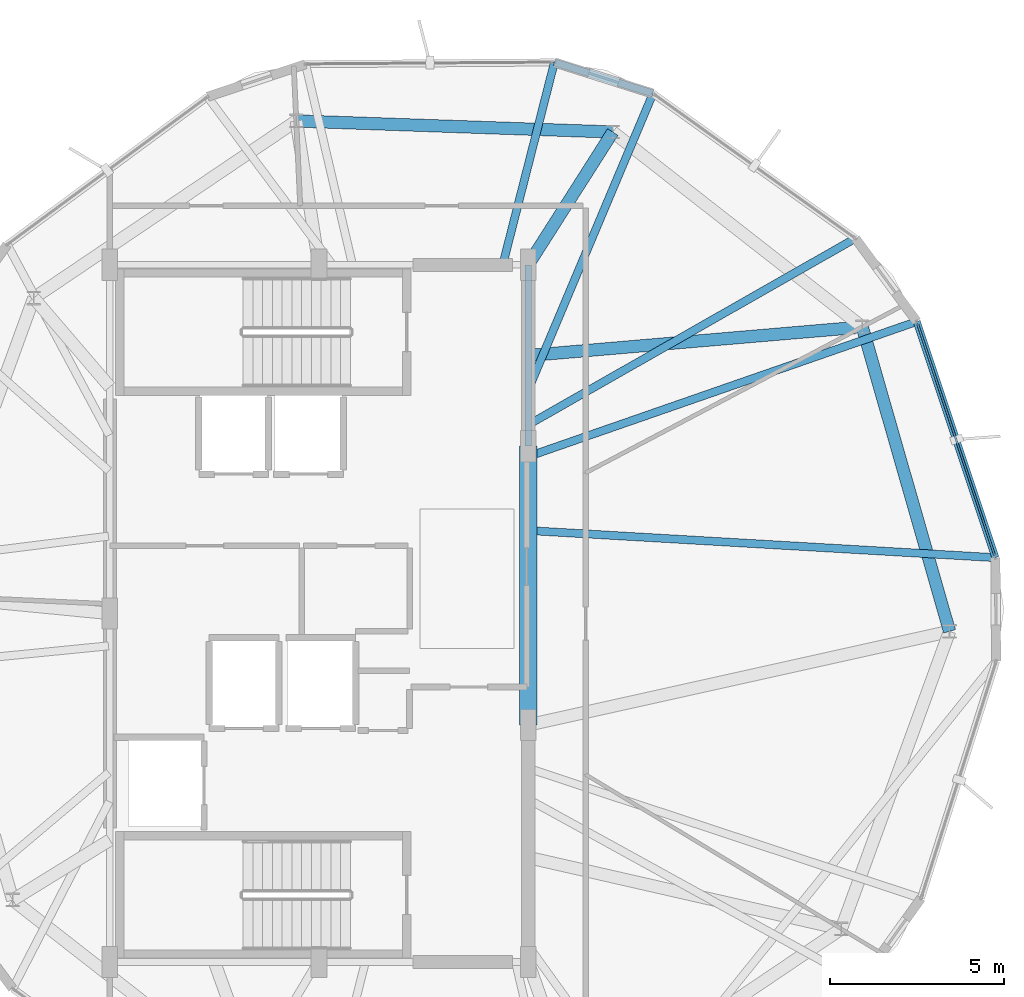
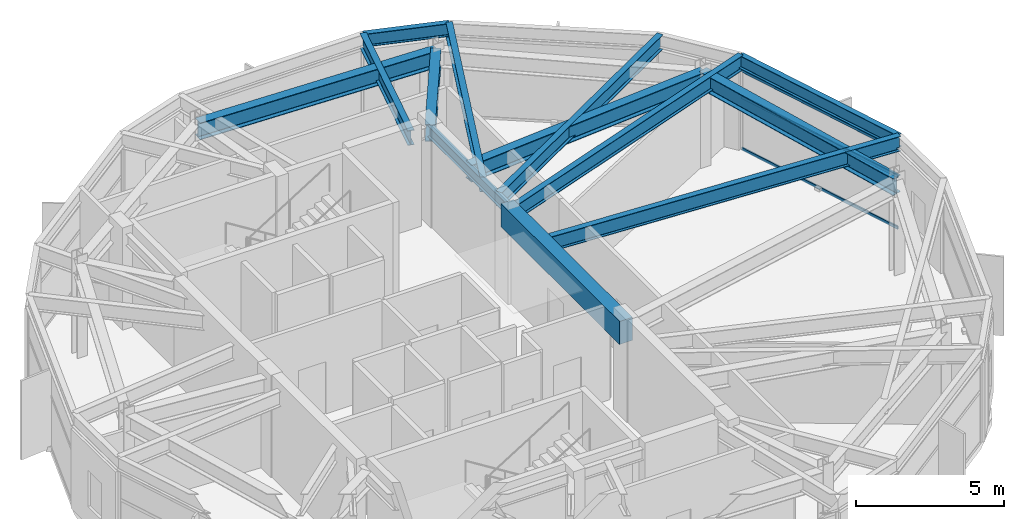
# One storey, part 13 of 22: 13 beams, 3 members, 1 element without a shape of its own.
"""IFC4 building model written with IfcOpenShell, lengths in metres."""

from ifc_helpers import new_model, si_unit, direction, frame, origin, origin_2d, place, context, subcontext, project, spatial, rectangle, hollow_rectangle, i_section, extrude, material, layer, layer_set, material_profile, profile_set, type_object, element, aggregate, save


model = new_model("IFC4")

# Units and contexts
model_context = context("Model", 3, precision=1e-05, world=origin(), true_north=direction((0.0, 1.0)))
body_context = subcontext(model_context, "Body", "Model", "MODEL_VIEW")
ifc_project = project(units=[si_unit("LENGTHUNIT", "METRE"), si_unit("AREAUNIT", "SQUARE_METRE"), si_unit("VOLUMEUNIT", "CUBIC_METRE"), si_unit("PLANEANGLEUNIT", "RADIAN"), si_unit("MASSUNIT", "GRAM", prefix="KILO")], contexts=[model_context])

# Site, building, storey
site_placement = place(None, origin())
site = spatial("IfcSite", under=ifc_project, at=site_placement, CompositionType="ELEMENT")
building_placement = place(site_placement, origin())
building = spatial("IfcBuilding", under=site, at=building_placement, Name="Soratama Intermodal Tower", CompositionType="ELEMENT")
storey_placement = place(building_placement, frame((0.0, 0.0, 301.449951171875)))
storey = spatial("IfcBuildingStorey", under=building, at=storey_placement, Name="L76", CompositionType="ELEMENT", Elevation=301.449951171875)

# Beams
ifc_material_1 = material(Name="Concrete f'c 56 MPa", Category="concrete")
ifc_material_profile_1 = material_profile(ifc_material_1, rectangle(XDim=0.5, YDim=0.949951171875, at=origin_2d()), Name="RC500X950")
ifc_profile_set_1 = profile_set([ifc_material_profile_1], Name="Concrete f'c 56 MPa")
beam_type_1 = type_object("IfcBeamType", Name="BM-CPL-RC500X950", PredefinedType="BEAM", material=ifc_profile_set_1)
beam_1_placement = place(storey_placement, frame((44.60009765625, 21.800048828125, 3.420166015625), z_axis=(0.0, 1.0, 0.0), x_axis=(-1.0, 0.0, 0.0)))
element("IfcBeam", 1, at=beam_1_placement, inside=storey, type_object=beam_type_1, Name="L76 Core Coupling Beam East", PredefinedType="BEAM", context=body_context, shape_type="SweptSolid", body=[
    extrude(rectangle(XDim=0.5, YDim=0.949951171875, at=origin_2d()), origin(), (0.0, 0.0, 1.0), 8.0),
])
ifc_material_2 = material(Name="Structural steel ASTM A992 Grade 50", Category="steel")
ifc_material_profile_2 = material_profile(ifc_material_2, i_section(OverallWidth=0.19091796875, OverallDepth=0.4599609375, WebThickness=0.010009765625, FlangeThickness=0.01611328125, FilletRadius=0.010986328125, at=origin_2d()), Name="W18X55")
ifc_profile_set_2 = profile_set([ifc_material_profile_2], Name="Structural steel ASTM A992 Grade 50")
beam_type_2 = type_object("IfcBeamType", Name="BM-FLR-W18X55", PredefinedType="BEAM", material=ifc_profile_set_2)
beam_2_placement = place(storey_placement, frame((44.60009765625, 29.800048828125, 3.6650390625), z_axis=(0.0, 1.0, 0.0), x_axis=(-1.0, 0.0, 0.0)))
element("IfcBeam", 2, at=beam_2_placement, inside=storey, type_object=beam_type_2, Name="BM-L76-CRING-05", PredefinedType="BEAM", context=body_context, shape_type="SweptSolid", body=[
    extrude(i_section(OverallWidth=0.19091796875, OverallDepth=0.4599609375, WebThickness=0.010009765625, FlangeThickness=0.01611328125, FilletRadius=0.010986328125, at=origin_2d()), origin(), (0.0, 0.0, 1.0), 5.199951171875),
])
ifc_material_3 = material(Name="Structural steel ASTM A992 Grade 50", Category="steel")
ifc_material_profile_3 = material_profile(ifc_material_3, i_section(OverallWidth=0.35498046875, OverallDepth=0.695068359375, WebThickness=0.015380859375, FlangeThickness=0.02490234375, FilletRadius=0.01611328125, at=origin_2d()), Name="W27X146")
ifc_profile_set_3 = profile_set([ifc_material_profile_3], Name="Structural steel ASTM A992 Grade 50")
beam_type_3 = type_object("IfcBeamType", Name="BM-RING-W27X146", PredefinedType="BEAM", material=ifc_profile_set_3)
beam_3_placement = place(storey_placement, frame((47.028076171875, 38.81298828125, 3.547607421875), z_axis=(-0.999391551516, 0.034878743651, 0.0), x_axis=(-0.034878743651, -0.999391551516, 0.0)))
element("IfcBeam", 3, at=beam_3_placement, inside=storey, type_object=beam_type_3, Name="BM-L76-RING-02", PredefinedType="BEAM", context=body_context, shape_type="SweptSolid", body=[
    extrude(i_section(OverallWidth=0.35498046875, OverallDepth=0.695068359375, WebThickness=0.015380859375, FlangeThickness=0.02490234375, FilletRadius=0.01611328125, at=origin_2d()), origin(), (0.0, 0.0, 1.0), 9.085693359375),
])
beam_4_placement = place(storey_placement, frame((56.69091796875, 24.487060546875, 3.547607421875), z_axis=(-0.275615442928, 0.961267979088, 0.0), x_axis=(-0.961267979088, -0.275615442928, 0.0)))
element("IfcBeam", 4, at=beam_4_placement, inside=storey, type_object=beam_type_3, Name="BM-L76-RING-10", PredefinedType="BEAM", context=body_context, shape_type="SweptSolid", body=[
    extrude(i_section(OverallWidth=0.35498046875, OverallDepth=0.695068359375, WebThickness=0.015380859375, FlangeThickness=0.02490234375, FilletRadius=0.01611328125, at=origin_2d()), origin(), (0.0, 0.0, 1.0), 9.084716796875),
])
beam_5_placement = place(storey_placement, frame((44.60009765625, 32.39990234375, 3.547607421875), z_axis=(0.996361377068, 0.085229139899, 0.0), x_axis=(-0.085229139899, 0.996361377068, 0.0)))
element("IfcBeam", 5, at=beam_5_placement, inside=storey, type_object=beam_type_3, Name="BM-L76-RAD-01", PredefinedType="BEAM", context=body_context, shape_type="SweptSolid", body=[
    extrude(i_section(OverallWidth=0.35498046875, OverallDepth=0.695068359375, WebThickness=0.015380859375, FlangeThickness=0.02490234375, FilletRadius=0.01611328125, at=origin_2d()), origin(), (0.0, 0.0, 1.0), 9.621826171875),
])
beam_6_placement = place(storey_placement, frame((44.60009765625, 35.0, 3.547607421875), z_axis=(0.537116603261, 0.843508005001, 0.0), x_axis=(-0.843508005001, 0.537116603261, 0.0)))
element("IfcBeam", 6, at=beam_6_placement, inside=storey, type_object=beam_type_3, Name="BM-L76-RAD-02", PredefinedType="BEAM", context=body_context, shape_type="SweptSolid", body=[
    extrude(i_section(OverallWidth=0.35498046875, OverallDepth=0.695068359375, WebThickness=0.015380859375, FlangeThickness=0.02490234375, FilletRadius=0.01611328125, at=origin_2d()), origin(), (0.0, 0.0, 1.0), 4.5205078125),
])
ifc_material_4 = material(Name="Structural steel ASTM A992 Grade 50", Category="steel")
ifc_material_profile_4 = material_profile(ifc_material_4, i_section(OverallWidth=0.2099609375, OverallDepth=0.537109375, WebThickness=0.010986328125, FlangeThickness=0.017333984375, FilletRadius=0.012939453125, at=origin_2d()), Name="W21X68")
ifc_profile_set_4 = profile_set([ifc_material_profile_4], Name="Structural steel ASTM A992 Grade 50")
beam_type_4 = type_object("IfcBeamType", Name="BM-SPN-W21X68", PredefinedType="SPANDREL", material=ifc_profile_set_4)
beam_7_placement = place(storey_placement, frame((58.007080078125, 26.60107421875, 3.62646484375), z_axis=(-0.315950812646, 0.948775570927, 0.0), x_axis=(-0.948775570927, -0.315950812646, 0.0)))
element("IfcBeam", 7, at=beam_7_placement, inside=storey, type_object=beam_type_4, Name="BS-L76-F09", PredefinedType="SPANDREL", context=body_context, shape_type="SweptSolid", body=[
    extrude(i_section(OverallWidth=0.2099609375, OverallDepth=0.537109375, WebThickness=0.010986328125, FlangeThickness=0.017333984375, FilletRadius=0.012939453125, at=origin_2d()), origin(), (0.0, 0.0, 1.0), 7.140625),
])
beam_8_placement = place(storey_placement, frame((48.181884765625, 39.9169921875, 3.62646484375), z_axis=(-0.953293655161, 0.302045041392, 0.0), x_axis=(-0.302045041392, -0.953293655161, 0.0)))
element("IfcBeam", 8, at=beam_8_placement, inside=storey, type_object=beam_type_4, Name="BS-L76-CRN10", PredefinedType="SPANDREL", context=body_context, shape_type="SweptSolid", body=[
    extrude(i_section(OverallWidth=0.2099609375, OverallDepth=0.537109375, WebThickness=0.010986328125, FlangeThickness=0.017333984375, FilletRadius=0.012939453125, at=origin_2d()), origin(), (0.0, 0.0, 1.0), 2.966552734375),
])
ifc_material_5 = material(Name="Structural steel ASTM A992 Grade 50", Category="steel")
ifc_material_profile_5 = material_profile(ifc_material_5, i_section(OverallWidth=0.22900390625, OverallDepth=0.612060546875, WebThickness=0.011962890625, FlangeThickness=0.01953125, FilletRadius=0.012939453125, at=origin_2d()), Name="W24X84")
ifc_profile_set_5 = profile_set([ifc_material_profile_5], Name="Structural steel ASTM A992 Grade 50")
beam_type_5 = type_object("IfcBeamType", Name="BM-TIE-W24X84", PredefinedType="BEAM", material=ifc_profile_set_5)
beam_9_placement = place(storey_placement, frame((43.8798828125, 35.0390625, 3.589111328125), z_axis=(0.247371788509, 0.968920635682, 0.0), x_axis=(-0.968920635682, 0.247371788509, 0.0)))
element("IfcBeam", 9, at=beam_9_placement, inside=storey, type_object=beam_type_5, Name="BM-L76-TIE0-01", PredefinedType="BEAM", context=body_context, shape_type="SweptSolid", body=[
    extrude(i_section(OverallWidth=0.22900390625, OverallDepth=0.612060546875, WebThickness=0.011962890625, FlangeThickness=0.01953125, FilletRadius=0.012939453125, at=origin_2d()), origin(), (0.0, 0.0, 1.0), 5.959228515625),
])
beam_10_placement = place(storey_placement, frame((44.8349609375, 27.365966796875, 3.589111328125), z_axis=(0.998318244116, -0.057971402124, 0.0), x_axis=(0.057971402124, 0.998318244116, 0.0)))
element("IfcBeam", 10, at=beam_10_placement, inside=storey, type_object=beam_type_5, Name="BM-L76-TIE0-09", PredefinedType="BEAM", context=body_context, shape_type="SweptSolid", body=[
    extrude(i_section(OverallWidth=0.22900390625, OverallDepth=0.612060546875, WebThickness=0.011962890625, FlangeThickness=0.01953125, FilletRadius=0.012939453125, at=origin_2d()), origin(), (0.0, 0.0, 1.0), 13.1943359375),
])
beam_11_placement = place(storey_placement, frame((44.822021484375, 29.577880859375, 3.589111328125), z_axis=(0.944584725054, 0.328267721829, 0.0), x_axis=(-0.328267721829, 0.944584725054, 0.0)))
element("IfcBeam", 11, at=beam_11_placement, inside=storey, type_object=beam_type_5, Name="BM-L76-TIE1-09", PredefinedType="BEAM", context=body_context, shape_type="SweptSolid", body=[
    extrude(i_section(OverallWidth=0.22900390625, OverallDepth=0.612060546875, WebThickness=0.011962890625, FlangeThickness=0.01953125, FilletRadius=0.012939453125, at=origin_2d()), origin(), (0.0, 0.0, 1.0), 11.570068359375),
])
beam_12_placement = place(storey_placement, frame((44.635009765625, 30.431884765625, 3.589111328125), z_axis=(0.868806340602, 0.495152039813, 0.0), x_axis=(-0.495152039813, 0.868806340602, 0.0)))
element("IfcBeam", 12, at=beam_12_placement, inside=storey, type_object=beam_type_5, Name="BM-L76-TIE0-10", PredefinedType="BEAM", context=body_context, shape_type="SweptSolid", body=[
    extrude(i_section(OverallWidth=0.22900390625, OverallDepth=0.612060546875, WebThickness=0.011962890625, FlangeThickness=0.01953125, FilletRadius=0.012939453125, at=origin_2d()), origin(), (0.0, 0.0, 1.0), 10.7666015625),
])
beam_13_placement = place(storey_placement, frame((44.615966796875, 31.447998046875, 3.589111328125), z_axis=(0.388059375592, 0.921634374909, 0.0), x_axis=(-0.921634374909, 0.388059375592, 0.0)))
element("IfcBeam", 13, at=beam_13_placement, inside=storey, type_object=beam_type_5, Name="BM-L76-TIE1-10", PredefinedType="BEAM", context=body_context, shape_type="SweptSolid", body=[
    extrude(i_section(OverallWidth=0.22900390625, OverallDepth=0.612060546875, WebThickness=0.011962890625, FlangeThickness=0.01953125, FilletRadius=0.012939453125, at=origin_2d()), origin(), (0.0, 0.0, 1.0), 9.189208984375),
])

# Curtain wall, members
ifc_material_6 = material(Name="Double-glazed aluminium curtain wall", Category="aluminium")
ifc_layer = layer(ifc_material_6, 0.159912109375)
ifc_layer_set = layer_set([ifc_layer], Name="Double-glazed aluminium curtain wall")
curtain_wall_type = type_object("IfcCurtainWallType", Name="CW-SYS-6", PredefinedType="NOTDEFINED", material=ifc_layer_set)
curtain_wall_placement = place(storey_placement, origin())
curtain_wall = element("IfcCurtainWall", 14, at=curtain_wall_placement, inside=storey, type_object=curtain_wall_type, Name="L76 Faceted Curtain Wall F09", PredefinedType="NOTDEFINED")
ifc_material_7 = material(Name="Anodised aluminium AA 6063-T6", Category="aluminium")
ifc_material_profile_6 = material_profile(ifc_material_7, hollow_rectangle(XDim=0.06005859375, YDim=0.1298828125, WallThickness=0.0048828125, InnerFilletRadius=0.0048828125, OuterFilletRadius=0.010009765625, at=origin_2d()), Name="CWT130X60X5")
ifc_profile_set_6 = profile_set([ifc_material_profile_6], Name="Anodised aluminium AA 6063-T6")
member_type = type_object("IfcMemberType", Name="TT-CWT-2", PredefinedType="USERDEFINED", material=ifc_profile_set_6)
member_1_placement = place(storey_placement, frame((57.98779296875, 26.658447265625, 0.030029296875), z_axis=(-0.315987791586, 0.948763255807, 0.0), x_axis=(-0.948763255807, -0.315987791586, 0.0)))
member_1 = element("IfcMember", 15, at=member_1_placement, type_object=member_type, Name="CW-6 transom 1.1", ObjectType="TRANSOM", PredefinedType="USERDEFINED", context=body_context, shape_type="SweptSolid", body=[
    extrude(hollow_rectangle(XDim=0.06005859375, YDim=0.1298828125, WallThickness=0.0048828125, InnerFilletRadius=0.0048828125, OuterFilletRadius=0.010009765625, at=origin_2d()), origin(), (0.0, 0.0, 1.0), 7.02001953125),
])
member_2_placement = place(storey_placement, frame((57.98779296875, 26.658447265625, 2.150146484375), z_axis=(-0.315987791586, 0.948763255807, 0.0), x_axis=(-0.948763255807, -0.315987791586, 0.0)))
member_2 = element("IfcMember", 16, at=member_2_placement, type_object=member_type, Name="CW-6 transom 1.2", ObjectType="TRANSOM", PredefinedType="USERDEFINED", context=body_context, shape_type="SweptSolid", body=[
    extrude(hollow_rectangle(XDim=0.06005859375, YDim=0.1298828125, WallThickness=0.0048828125, InnerFilletRadius=0.0048828125, OuterFilletRadius=0.010009765625, at=origin_2d()), origin(), (0.0, 0.0, 1.0), 7.02001953125),
])
member_3_placement = place(storey_placement, frame((57.98779296875, 26.658447265625, 3.244140625), z_axis=(-0.315987791586, 0.948763255807, 0.0), x_axis=(-0.948763255807, -0.315987791586, 0.0)))
member_3 = element("IfcMember", 17, at=member_3_placement, type_object=member_type, Name="CW-6 transom 1.3", ObjectType="TRANSOM", PredefinedType="USERDEFINED", context=body_context, shape_type="SweptSolid", body=[
    extrude(hollow_rectangle(XDim=0.06005859375, YDim=0.1298828125, WallThickness=0.0048828125, InnerFilletRadius=0.0048828125, OuterFilletRadius=0.010009765625, at=origin_2d()), origin(), (0.0, 0.0, 1.0), 7.02001953125),
])
aggregate(curtain_wall, [member_1, member_2, member_3])

save(model, "model.ifc")
